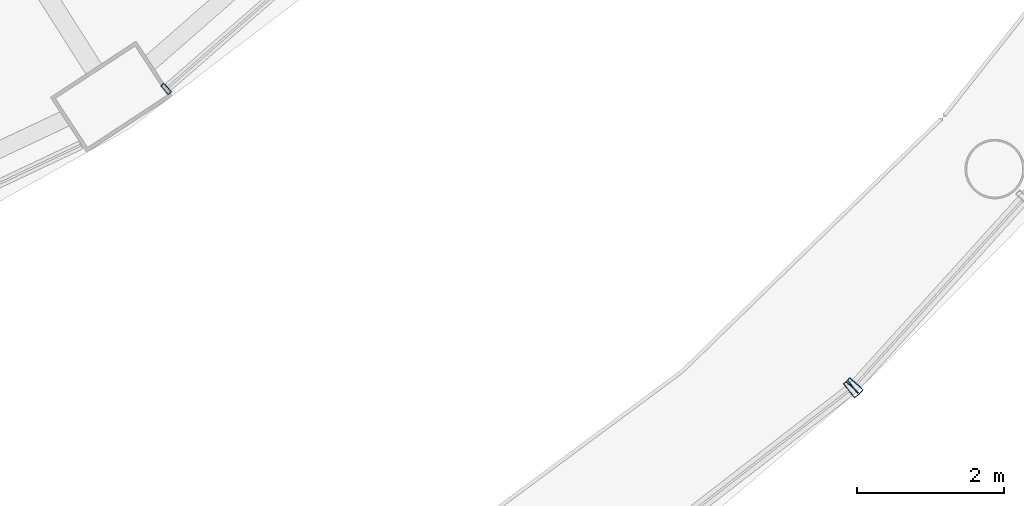
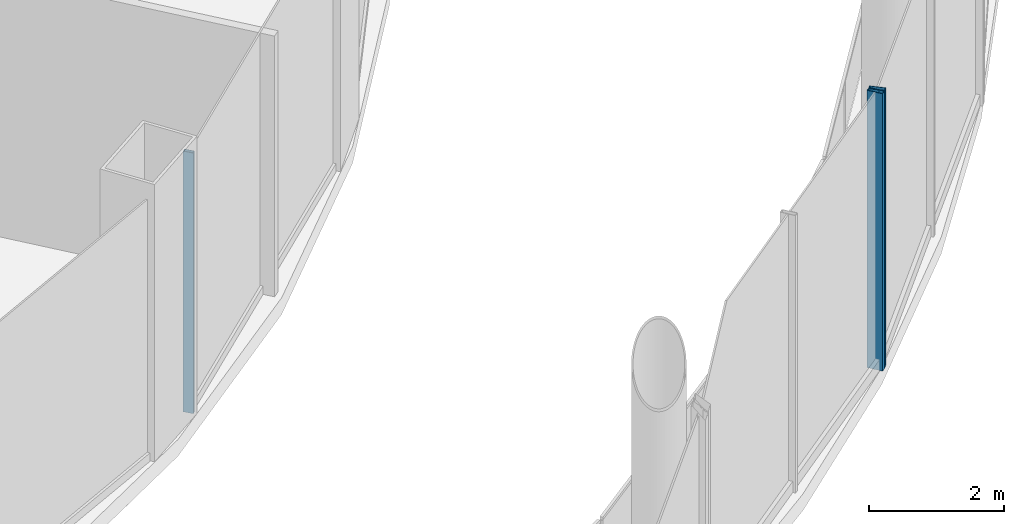
# One storey, part 11 of 48: 3 members, 3 elements without a shape of their own.
"""IFC4 building model written with IfcOpenShell, lengths in metres."""

from ifc_helpers import new_model, si_unit, direction, frame, origin, origin_2d, place, context, subcontext, project, spatial, hollow_rectangle, extrude, material, layer, layer_set, material_profile, profile_set, type_object, element, aggregate, save


model = new_model("IFC4")

# Units and contexts
model_context = context("Model", 3, precision=1e-05, world=origin(), true_north=direction((0.0, 1.0)))
body_context = subcontext(model_context, "Body", "Model", "MODEL_VIEW")
ifc_project = project(units=[si_unit("LENGTHUNIT", "METRE"), si_unit("AREAUNIT", "SQUARE_METRE"), si_unit("VOLUMEUNIT", "CUBIC_METRE"), si_unit("PLANEANGLEUNIT", "RADIAN"), si_unit("MASSUNIT", "GRAM", prefix="KILO")], contexts=[model_context])

# Site, building, storey
site_placement = place(None, origin())
site = spatial("IfcSite", under=ifc_project, at=site_placement, CompositionType="ELEMENT")
building_placement = place(site_placement, origin())
building = spatial("IfcBuilding", under=site, at=building_placement, Name="Nagisa Residences", CompositionType="ELEMENT")
storey_placement = place(building_placement, frame((0.0, 0.0, 12.0)))
storey = spatial("IfcBuildingStorey", under=building, at=storey_placement, Name="L02", CompositionType="ELEMENT", Elevation=12.0)

# Curtain wall, member
ifc_material_1 = material(Name="Stainless steel curtain wall system", Category="steel")
ifc_layer_1 = layer(ifc_material_1, 0.159912109375)
ifc_layer_set_1 = layer_set([ifc_layer_1], Name="CW3 CURTAIN WALL")
curtain_wall_type_1 = type_object("IfcCurtainWallType", Name="CW3 CURTAIN WALL", PredefinedType="NOTDEFINED", material=ifc_layer_set_1)
curtain_wall_1_placement = place(storey_placement, origin())
curtain_wall_1 = element("IfcCurtainWall", 1, at=curtain_wall_1_placement, inside=storey, type_object=curtain_wall_type_1, Name="cw:CW3:L02:30", PredefinedType="NOTDEFINED")
ifc_material_2 = material(Name="Stainless steel", Category="steel")
ifc_material_profile_1 = material_profile(ifc_material_2, hollow_rectangle(XDim=0.25, YDim=0.080078125, WallThickness=0.008056640625, at=origin_2d()), Name="CW3 MULLION 250x80")
ifc_profile_set_1 = profile_set([ifc_material_profile_1], Name="Stainless steel")
member_type_1 = type_object("IfcMemberType", Name="CW3 MULLION 250x80", PredefinedType="MULLION", material=ifc_profile_set_1)
member_1_placement = place(storey_placement, frame((27.9453125, -32.135009765625, 0.0), z_axis=(0.0, 0.0, 1.0), x_axis=(-0.612034757172, 0.790830864353, 0.0)))
member_1 = element("IfcMember", 2, at=member_1_placement, type_object=member_type_1, Name="CW3 mullion", PredefinedType="MULLION", context=body_context, shape_type="SweptSolid", body=[
    extrude(hollow_rectangle(XDim=0.25, YDim=0.080078125, WallThickness=0.008056640625, at=origin_2d()), origin(), (0.0, 0.0, 1.0), 5.0),
])
aggregate(curtain_wall_1, [member_1])

curtain_wall_2_placement = place(storey_placement, origin())
curtain_wall_2 = element("IfcCurtainWall", 3, at=curtain_wall_2_placement, inside=storey, type_object=curtain_wall_type_1, Name="cw:CW3:L02:31", PredefinedType="NOTDEFINED")
member_2_placement = place(storey_placement, frame((27.993408203125, -32.090576171875, 0.0), z_axis=(0.0, 0.0, 1.0), x_axis=(-0.741535779122, 0.670913323971, 0.0)))
member_2 = element("IfcMember", 4, at=member_2_placement, type_object=member_type_1, Name="CW3 mullion", PredefinedType="MULLION", context=body_context, shape_type="SweptSolid", body=[
    extrude(hollow_rectangle(XDim=0.25, YDim=0.080078125, WallThickness=0.008056640625, at=origin_2d()), origin(), (0.0, 0.0, 1.0), 5.0),
])
aggregate(curtain_wall_2, [member_2])

ifc_material_3 = material(Name="Stainless steel curtain wall system", Category="steel")
ifc_layer_2 = layer(ifc_material_3, 0.159912109375)
ifc_layer_set_2 = layer_set([ifc_layer_2], Name="CW6 CURTAIN WALL")
curtain_wall_type_2 = type_object("IfcCurtainWallType", Name="CW6 CURTAIN WALL", PredefinedType="NOTDEFINED", material=ifc_layer_set_2)
curtain_wall_3_placement = place(storey_placement, origin())
curtain_wall_3 = element("IfcCurtainWall", 5, at=curtain_wall_3_placement, inside=storey, type_object=curtain_wall_type_2, Name="cw:CW6:L02:40", PredefinedType="NOTDEFINED")
ifc_material_4 = material(Name="Stainless steel", Category="steel")
ifc_material_profile_2 = material_profile(ifc_material_4, hollow_rectangle(XDim=0.159912109375, YDim=0.06005859375, WallThickness=0.006103515625, at=origin_2d()), Name="CW6 MULLION 160x60")
ifc_profile_set_2 = profile_set([ifc_material_profile_2], Name="Stainless steel")
member_type_2 = type_object("IfcMemberType", Name="CW6 MULLION 160x60", PredefinedType="MULLION", material=ifc_profile_set_2)
member_3_placement = place(storey_placement, frame((18.59716796875, -28.038330078125, 0.0), z_axis=(0.0, 0.0, 1.0), x_axis=(-0.657721475708, 0.753261216572, 0.0)))
member_3 = element("IfcMember", 6, at=member_3_placement, type_object=member_type_2, Name="CW6 mullion", PredefinedType="MULLION", context=body_context, shape_type="SweptSolid", body=[
    extrude(hollow_rectangle(XDim=0.159912109375, YDim=0.06005859375, WallThickness=0.006103515625, at=origin_2d()), origin(), (0.0, 0.0, 1.0), 4.699951171875),
])
aggregate(curtain_wall_3, [member_3])

save(model, "model.ifc")
